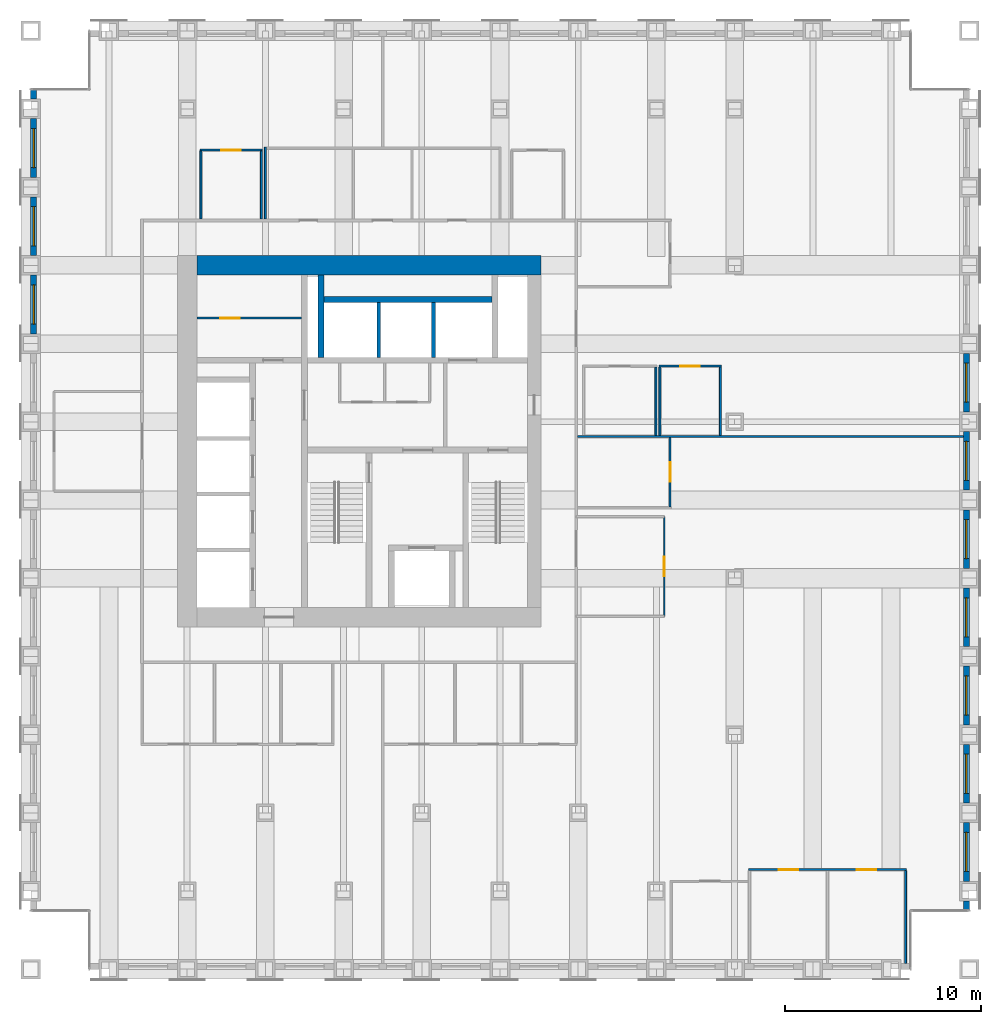
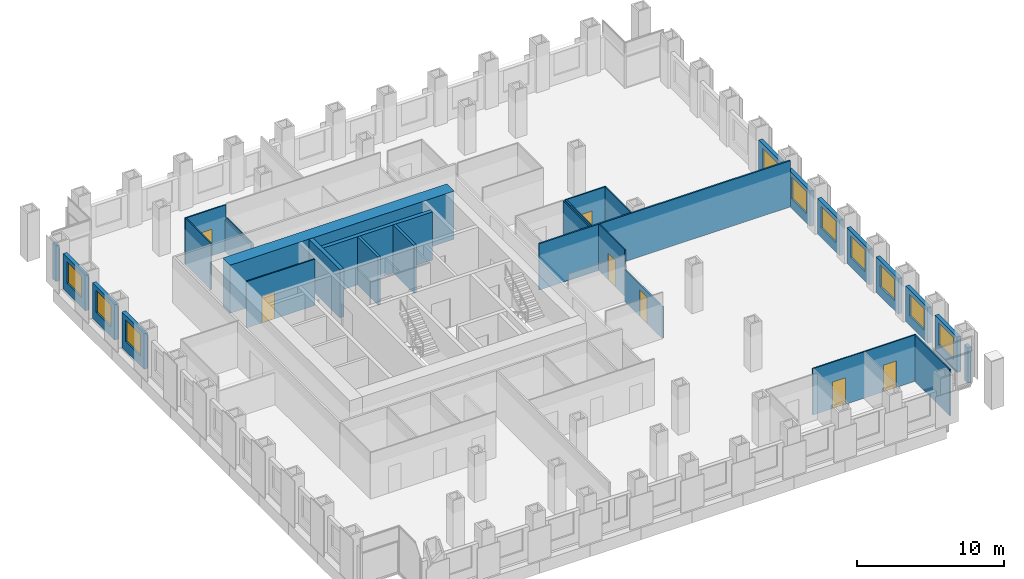
# One storey, part 13 of 17: 31 walls, 10 windows, 7 doors, 17 openings.
"""IFC4 building model written with IfcOpenShell, lengths in metres."""

from ifc_helpers import new_model, si_unit, direction, frame, frame_2d, origin, place, context, subcontext, project, spatial, rectangle, extrude, material, layer, layer_set, type_object, element, fill, save


model = new_model("IFC4")

# Units and contexts
model_context = context("Model", 3, precision=1e-05, world=origin(), true_north=direction((0.0, 1.0)))
body_context = subcontext(model_context, "Body", "Model", "MODEL_VIEW")
ifc_project = project(units=[si_unit("LENGTHUNIT", "METRE"), si_unit("AREAUNIT", "SQUARE_METRE"), si_unit("VOLUMEUNIT", "CUBIC_METRE"), si_unit("PLANEANGLEUNIT", "RADIAN"), si_unit("MASSUNIT", "GRAM", prefix="KILO")], contexts=[model_context])

# Site, building, storey
site_placement = place(None, origin())
site = spatial("IfcSite", under=ifc_project, at=site_placement, CompositionType="ELEMENT")
building_placement = place(site_placement, origin())
building = spatial("IfcBuilding", under=site, at=building_placement, Name="Rimbunsela Tower", CompositionType="ELEMENT")
storey_placement = place(building_placement, frame((0.0, 0.0, 101.39990234375)))
storey = spatial("IfcBuildingStorey", under=building, at=storey_placement, Name="L24", CompositionType="ELEMENT", Elevation=101.39990234375)

# Walls
ifc_material_1 = material(Name="Concrete fc' 80 MPa", Category="concrete")
ifc_layer_1 = layer(ifc_material_1, 0.300048828125)
ifc_layer_set_1 = layer_set([ifc_layer_1], Name="Core internal wall 300")
wall_type_1 = type_object("IfcWallType", Name="Core internal wall 300", PredefinedType="SHEAR", material=ifc_layer_set_1)
wall_1_placement = place(storey_placement, frame((24.85009765625, 31.300048828125, -0.14990234375), z_axis=(0.0, 0.0, 1.0), x_axis=(0.0, 1.0, 0.0)))
element("IfcWall", 1, at=wall_1_placement, inside=storey, type_object=wall_type_1, Name="Riser wall", PredefinedType="SHEAR", context=body_context, shape_type="SweptSolid", body=[
    extrude(rectangle(XDim=4.199951171875, YDim=0.300048828125, at=frame_2d((2.10009765625, 0.0))), origin(), (0.0, 0.0, 1.0), 4.0),
])
wall_2_placement = place(storey_placement, frame((25.0, 34.25, -0.14990234375), z_axis=(0.0, 0.0, 1.0), x_axis=(1.0, 0.0, 0.0)))
element("IfcWall", 2, at=wall_2_placement, inside=storey, type_object=wall_type_1, Name="Lift shaft rear north", PredefinedType="SHEAR", context=body_context, shape_type="SweptSolid", body=[
    extrude(rectangle(XDim=8.60009765625, YDim=0.300048828125, at=frame_2d((4.300048828125, 0.0))), origin(), (0.0, 0.0, 1.0), 4.0),
])

# Wall, opening, door
ifc_material_2 = material(Name="Concrete blockwork", Category="masonry")
ifc_layer_2 = layer(ifc_material_2, 0.10009765625)
ifc_layer_set_2 = layer_set([ifc_layer_2], Name="Core room partition 100")
wall_type_2 = type_object("IfcWallType", Name="Core room partition 100", PredefinedType="PARTITIONING", material=ifc_layer_set_2)
wall_3_placement = place(storey_placement, frame((18.5, 33.300048828125, 0.0), z_axis=(0.0, 0.0, 1.0), x_axis=(1.0, 0.0, 0.0)))
wall_3 = element("IfcWall", 3, at=wall_3_placement, inside=storey, type_object=wall_type_2, Name="Tenant store wall", PredefinedType="PARTITIONING", context=body_context, shape_type="SweptSolid", body=[
    extrude(rectangle(XDim=5.35009765625, YDim=0.10009765625, at=frame_2d((2.675048828125, 0.0))), origin(), (0.0, 0.0, 1.0), 3.85009765625),
])
opening_1_placement = place(wall_3_placement, frame((1.199951171875, 0.0, 0.0)))
opening_1 = element("IfcOpeningElement", 4, at=opening_1_placement, cuts=wall_3, Name="Opening D19", PredefinedType="OPENING", context=body_context, shape_type="SweptSolid", body=[
    extrude(rectangle(XDim=1.0, YDim=2.199951171875, at=frame_2d((0.5, 1.10009765625))), frame((0.0, 0.06005859375, 0.0), z_axis=(0.0, -1.0, 0.0), x_axis=(1.0, 0.0, 0.0)), (0.0, 0.0, 1.0), 0.1201171875),
])
ifc_material_3 = material(Name="Steel door, fire rated", Category="steel")
door_type_1 = type_object("IfcDoorType", Name="Service door 1000 fire rated", OperationType="SINGLE_SWING_LEFT", PredefinedType="DOOR", material=ifc_material_3)
door_1_placement = place(opening_1_placement, origin())
door_1 = element("IfcDoor", 5, at=door_1_placement, inside=storey, type_object=door_type_1, Name="Tenant store door", OperationType="SINGLE_SWING_LEFT", OverallHeight=2.199951171875, OverallWidth=1.0, PredefinedType="DOOR", context=body_context, shape_type="SweptSolid", body=[
    extrude(rectangle(XDim=1.0, YDim=2.199951171875, at=frame_2d((0.5, 1.10009765625))), frame((0.0, 0.02490234375, 0.0), z_axis=(0.0, -1.0, 0.0), x_axis=(1.0, 0.0, 0.0)), (0.0, 0.0, 1.0), 0.050048828125),
])
fill(opening_1, door_1)

# Walls
ifc_material_4 = material(Name="Concrete fc' 80 MPa", Category="concrete")
ifc_layer_3 = layer(ifc_material_4, 1.0)
ifc_layer_set_3 = layer_set([ifc_layer_3], Name="Core wall 1000")
wall_type_3 = type_object("IfcWallType", Name="Core wall 1000", PredefinedType="SHEAR", material=ifc_layer_set_3)
wall_4_placement = place(storey_placement, frame((18.5, 36.0, -0.14990234375), z_axis=(0.0, 0.0, 1.0), x_axis=(1.0, 0.0, 0.0)))
element("IfcWall", 6, at=wall_4_placement, inside=storey, type_object=wall_type_3, Name="Core wall north", PredefinedType="SHEAR", context=body_context, shape_type="SweptSolid", body=[
    extrude(rectangle(XDim=17.60009765625, YDim=1.0, at=frame_2d((8.800048828125, 0.0))), origin(), (0.0, 0.0, 1.0), 4.0),
])
ifc_material_5 = material(Name="Concrete blockwork", Category="masonry")
ifc_layer_4 = layer(ifc_material_5, 0.199951171875)
ifc_layer_set_4 = layer_set([ifc_layer_4], Name="Lift shaft wall 200")
wall_type_4 = type_object("IfcWallType", Name="Lift shaft wall 200", PredefinedType="SOLIDWALL", material=ifc_layer_set_4)
for number, where, z_axis, x_axis, name in (
    (7, (27.800048828125, 31.300048828125, -0.14990234375), (0.0, 0.0, 1.0), (0.0, 1.0, 0.0), "Lift shaft separation"),
    (8, (30.60009765625, 31.300048828125, -0.14990234375), (0.0, 0.0, 1.0), (0.0, 1.0, 0.0), "Lift shaft separation"),
):
    element("IfcWall", number, at=place(storey_placement, frame(where, z_axis=z_axis, x_axis=x_axis)), inside=storey, type_object=wall_type_4, Name=name, PredefinedType="SOLIDWALL", context=body_context, shape_type="SweptSolid", body=[
        extrude(rectangle(XDim=2.800048828125, YDim=0.199951171875, at=frame_2d((1.39990234375, 0.0))), origin(), (0.0, 0.0, 1.0), 4.0),
    ])

# Wall, openings, doors
ifc_material_6 = material(Name="Gypsum board on steel studs", Category="steel")
ifc_layer_5 = layer(ifc_material_6, 0.10009765625)
ifc_layer_set_5 = layer_set([ifc_layer_5], Name="Office partition 100")
wall_type_5 = type_object("IfcWallType", Name="Office partition 100", PredefinedType="PARTITIONING", material=ifc_layer_set_5)
wall_5_placement = place(storey_placement, frame((46.699951171875, 5.10009765625, 0.0), z_axis=(0.0, 0.0, 1.0), x_axis=(1.0, 0.0, 0.0)))
wall_5 = element("IfcWall", 9, at=wall_5_placement, inside=storey, type_object=wall_type_5, Name="Office partition", PredefinedType="PARTITIONING", context=body_context, shape_type="SweptSolid", body=[
    extrude(rectangle(XDim=8.10009765625, YDim=0.10009765625, at=frame_2d((4.050048828125, 0.0))), origin(), (0.0, 0.0, 1.0), 3.85009765625),
])
opening_2_placement = place(wall_5_placement, frame((1.550048828125, 0.0, 0.0)))
opening_2 = element("IfcOpeningElement", 10, at=opening_2_placement, cuts=wall_5, Name="Opening D17", PredefinedType="OPENING", context=body_context, shape_type="SweptSolid", body=[
    extrude(rectangle(XDim=1.0, YDim=2.199951171875, at=frame_2d((0.5, 1.10009765625))), frame((0.0, 0.06005859375, 0.0), z_axis=(0.0, -1.0, 0.0), x_axis=(1.0, 0.0, 0.0)), (0.0, 0.0, 1.0), 0.1201171875),
])
opening_3_placement = place(wall_5_placement, frame((5.550048828125, 0.0, 0.0)))
opening_3 = element("IfcOpeningElement", 11, at=opening_3_placement, cuts=wall_5, Name="Opening D17", PredefinedType="OPENING", context=body_context, shape_type="SweptSolid", body=[
    extrude(rectangle(XDim=1.0, YDim=2.199951171875, at=frame_2d((0.5, 1.10009765625))), frame((0.0, 0.06005859375, 0.0), z_axis=(0.0, -1.0, 0.0), x_axis=(1.0, 0.0, 0.0)), (0.0, 0.0, 1.0), 0.1201171875),
])
ifc_material_7 = material(Name="Glazed aluminium door", Category="aluminium")
door_type_2 = type_object("IfcDoorType", Name="Meeting room door 1000 glazed", OperationType="SINGLE_SWING_RIGHT", PredefinedType="DOOR", material=ifc_material_7)
door_2_placement = place(opening_2_placement, origin())
door_2 = element("IfcDoor", 12, at=door_2_placement, inside=storey, type_object=door_type_2, Name="Meeting room door", OperationType="SINGLE_SWING_RIGHT", OverallHeight=2.199951171875, OverallWidth=1.0, PredefinedType="DOOR", context=body_context, shape_type="SweptSolid", body=[
    extrude(rectangle(XDim=1.0, YDim=2.199951171875, at=frame_2d((0.5, 1.10009765625))), frame((0.0, 0.02490234375, 0.0), z_axis=(0.0, -1.0, 0.0), x_axis=(1.0, 0.0, 0.0)), (0.0, 0.0, 1.0), 0.050048828125),
])
fill(opening_2, door_2)
door_3_placement = place(opening_3_placement, origin())
door_3 = element("IfcDoor", 13, at=door_3_placement, inside=storey, type_object=door_type_2, Name="Meeting room door", OperationType="SINGLE_SWING_RIGHT", OverallHeight=2.199951171875, OverallWidth=1.0, PredefinedType="DOOR", context=body_context, shape_type="SweptSolid", body=[
    extrude(rectangle(XDim=1.0, YDim=2.199951171875, at=frame_2d((0.5, 1.10009765625))), frame((0.0, 0.02490234375, 0.0), z_axis=(0.0, -1.0, 0.0), x_axis=(1.0, 0.0, 0.0)), (0.0, 0.0, 1.0), 0.050048828125),
])
fill(opening_3, door_3)

# Wall, opening, door
wall_6_placement = place(storey_placement, frame((42.125, 30.85009765625, 0.0), z_axis=(0.0, 0.0, 1.0), x_axis=(1.0, 0.0, 0.0)))
wall_6 = element("IfcWall", 14, at=wall_6_placement, inside=storey, type_object=wall_type_5, Name="Office partition", PredefinedType="PARTITIONING", context=body_context, shape_type="SweptSolid", body=[
    extrude(rectangle(XDim=3.199951171875, YDim=0.10009765625, at=frame_2d((1.60009765625, 0.0))), origin(), (0.0, 0.0, 1.0), 3.85009765625),
])
opening_4_placement = place(wall_6_placement, frame((1.10009765625, 0.0, 0.0)))
opening_4 = element("IfcOpeningElement", 15, at=opening_4_placement, cuts=wall_6, Name="Opening D16", PredefinedType="OPENING", context=body_context, shape_type="SweptSolid", body=[
    extrude(rectangle(XDim=1.0, YDim=2.199951171875, at=frame_2d((0.5, 1.10009765625))), frame((0.0, 0.06005859375, 0.0), z_axis=(0.0, -1.0, 0.0), x_axis=(1.0, 0.0, 0.0)), (0.0, 0.0, 1.0), 0.1201171875),
])
ifc_material_8 = material(Name="Timber door", Category="wood")
door_type_3 = type_object("IfcDoorType", Name="Office door 1000", OperationType="SINGLE_SWING_LEFT", PredefinedType="DOOR", material=ifc_material_8)
door_4_placement = place(opening_4_placement, origin())
door_4 = element("IfcDoor", 16, at=door_4_placement, inside=storey, type_object=door_type_3, Name="Office door", OperationType="SINGLE_SWING_LEFT", OverallHeight=2.199951171875, OverallWidth=1.0, PredefinedType="DOOR", context=body_context, shape_type="SweptSolid", body=[
    extrude(rectangle(XDim=1.0, YDim=2.199951171875, at=frame_2d((0.5, 1.10009765625))), frame((0.0, 0.02490234375, 0.0), z_axis=(0.0, -1.0, 0.0), x_axis=(1.0, 0.0, 0.0)), (0.0, 0.0, 1.0), 0.050048828125),
])
fill(opening_4, door_4)

wall_7_placement = place(storey_placement, frame((18.64990234375, 41.89990234375, 0.0), z_axis=(0.0, 0.0, 1.0), x_axis=(1.0, 0.0, 0.0)))
wall_7 = element("IfcWall", 17, at=wall_7_placement, inside=storey, type_object=wall_type_5, Name="Office partition", PredefinedType="PARTITIONING", context=body_context, shape_type="SweptSolid", body=[
    extrude(rectangle(XDim=3.2001953125, YDim=0.10009765625, at=frame_2d((1.60009765625, 0.0))), origin(), (0.0, 0.0, 1.0), 3.85009765625),
])
opening_5_placement = place(wall_7_placement, frame((1.10009765625, 0.0, 0.0)))
opening_5 = element("IfcOpeningElement", 18, at=opening_5_placement, cuts=wall_7, Name="Opening D16", PredefinedType="OPENING", context=body_context, shape_type="SweptSolid", body=[
    extrude(rectangle(XDim=1.0, YDim=2.199951171875, at=frame_2d((0.5, 1.10009765625))), frame((0.0, 0.06005859375, 0.0), z_axis=(0.0, -1.0, 0.0), x_axis=(1.0, 0.0, 0.0)), (0.0, 0.0, 1.0), 0.1201171875),
])
door_5_placement = place(opening_5_placement, origin())
door_5 = element("IfcDoor", 19, at=door_5_placement, inside=storey, type_object=door_type_3, Name="Office door", OperationType="SINGLE_SWING_LEFT", OverallHeight=2.199951171875, OverallWidth=1.0, PredefinedType="DOOR", context=body_context, shape_type="SweptSolid", body=[
    extrude(rectangle(XDim=1.0, YDim=2.199951171875, at=frame_2d((0.5, 1.10009765625))), frame((0.0, 0.02490234375, 0.0), z_axis=(0.0, -1.0, 0.0), x_axis=(1.0, 0.0, 0.0)), (0.0, 0.0, 1.0), 0.050048828125),
])
fill(opening_5, door_5)

# Walls
wall_8_placement = place(storey_placement, frame((18.699951171875, 38.375, 0.0), z_axis=(0.0, 0.0, 1.0), x_axis=(0.0, 1.0, 0.0)))
element("IfcWall", 20, at=wall_8_placement, inside=storey, type_object=wall_type_5, Name="Office partition", PredefinedType="PARTITIONING", context=body_context, shape_type="SweptSolid", body=[
    extrude(rectangle(XDim=3.47509765625, YDim=0.10009765625, at=frame_2d((1.737548828125, 0.0))), origin(), (0.0, 0.0, 1.0), 3.85009765625),
])
wall_9_placement = place(storey_placement, frame((21.800048828125, 38.375, 0.0), z_axis=(0.0, 0.0, 1.0), x_axis=(0.0, 1.0, 0.0)))
element("IfcWall", 21, at=wall_9_placement, inside=storey, type_object=wall_type_5, Name="Office partition", PredefinedType="PARTITIONING", context=body_context, shape_type="SweptSolid", body=[
    extrude(rectangle(XDim=3.47509765625, YDim=0.10009765625, at=frame_2d((1.737548828125, 0.0))), origin(), (0.0, 0.0, 1.0), 2.650146484375),
])
for number, where, z_axis, x_axis, name in (
    (22, (41.97509765625, 27.31005859375, 0.0), (0.0, 0.0, 1.0), (0.0, 1.0, 0.0), "Office partition"),
    (23, (42.175048828125, 27.31005859375, 0.0), (0.0, 0.0, 1.0), (0.0, 1.0, 0.0), "Office partition"),
):
    element("IfcWall", number, at=place(storey_placement, frame(where, z_axis=z_axis, x_axis=x_axis)), inside=storey, type_object=wall_type_5, Name=name, PredefinedType="PARTITIONING", context=body_context, shape_type="SweptSolid", body=[
        extrude(rectangle(XDim=3.489990234375, YDim=0.10009765625, at=frame_2d((1.7451171875, 0.0))), origin(), (0.0, 0.0, 1.0), 3.85009765625),
    ])

# Wall, opening, door
wall_10_placement = place(storey_placement, frame((42.699951171875, 23.64892578125, 0.0), z_axis=(0.0, 0.0, 1.0), x_axis=(0.0, 1.0, 0.0)))
wall_10 = element("IfcWall", 24, at=wall_10_placement, inside=storey, type_object=wall_type_5, Name="Office partition", PredefinedType="PARTITIONING", context=body_context, shape_type="SweptSolid", body=[
    extrude(rectangle(XDim=3.5400390625, YDim=0.10009765625, at=frame_2d((1.77001953125, 0.0))), origin(), (0.0, 0.0, 1.0), 3.85009765625),
])
opening_6_placement = place(wall_10_placement, frame((1.27490234375, 0.0, 0.0)))
opening_6 = element("IfcOpeningElement", 25, at=opening_6_placement, cuts=wall_10, Name="Opening D16", PredefinedType="OPENING", context=body_context, shape_type="SweptSolid", body=[
    extrude(rectangle(XDim=1.0, YDim=2.199951171875, at=frame_2d((0.5, 1.10009765625))), frame((0.0, 0.06005859375, 0.0), z_axis=(0.0, -1.0, 0.0), x_axis=(1.0, 0.0, 0.0)), (0.0, 0.0, 1.0), 0.1201171875),
])
door_6_placement = place(opening_6_placement, origin())
door_6 = element("IfcDoor", 26, at=door_6_placement, inside=storey, type_object=door_type_3, Name="Office door", OperationType="SINGLE_SWING_LEFT", OverallHeight=2.199951171875, OverallWidth=1.0, PredefinedType="DOOR", context=body_context, shape_type="SweptSolid", body=[
    extrude(rectangle(XDim=1.0, YDim=2.199951171875, at=frame_2d((0.5, 1.10009765625))), frame((0.0, 0.02490234375, 0.0), z_axis=(0.0, -1.0, 0.0), x_axis=(1.0, 0.0, 0.0)), (0.0, 0.0, 1.0), 0.050048828125),
])
fill(opening_6, door_6)

# Walls
wall_11_placement = place(storey_placement, frame((45.27490234375, 27.31005859375, 0.0), z_axis=(0.0, 0.0, 1.0), x_axis=(0.0, 1.0, 0.0)))
element("IfcWall", 27, at=wall_11_placement, inside=storey, type_object=wall_type_5, Name="Office partition", PredefinedType="PARTITIONING", context=body_context, shape_type="SweptSolid", body=[
    extrude(rectangle(XDim=3.489990234375, YDim=0.10009765625, at=frame_2d((1.7451171875, 0.0))), origin(), (0.0, 0.0, 1.0), 3.85009765625),
])
wall_12_placement = place(storey_placement, frame((54.75, 0.300048828125, 0.0), z_axis=(0.0, 0.0, 1.0), x_axis=(0.0, 1.0, 0.0)))
element("IfcWall", 28, at=wall_12_placement, inside=storey, type_object=wall_type_5, Name="Office partition", PredefinedType="PARTITIONING", context=body_context, shape_type="SweptSolid", body=[
    extrude(rectangle(XDim=4.75, YDim=0.10009765625, at=frame_2d((2.375, 0.0))), origin(), (0.0, 0.0, 1.0), 3.85009765625),
])

# Wall, opening, door
wall_13_placement = place(storey_placement, frame((42.39990234375, 18.049072265625, 0.0), z_axis=(0.0, 0.0, 1.0), x_axis=(0.0, 1.0, 0.0)))
wall_13 = element("IfcWall", 29, at=wall_13_placement, inside=storey, type_object=wall_type_5, Name="Office partition", PredefinedType="PARTITIONING", context=body_context, shape_type="SweptSolid", body=[
    extrude(rectangle(XDim=5.099853515625, YDim=0.10009765625, at=frame_2d((2.5498046875, 0.0))), origin(), (0.0, 0.0, 1.0), 2.650146484375),
])
opening_7_placement = place(wall_13_placement, frame((2.050048828125, 0.0, 0.0)))
opening_7 = element("IfcOpeningElement", 30, at=opening_7_placement, cuts=wall_13, Name="Opening D17", PredefinedType="OPENING", context=body_context, shape_type="SweptSolid", body=[
    extrude(rectangle(XDim=1.0, YDim=2.199951171875, at=frame_2d((0.5, 1.10009765625))), frame((0.0, 0.06005859375, 0.0), z_axis=(0.0, -1.0, 0.0), x_axis=(1.0, 0.0, 0.0)), (0.0, 0.0, 1.0), 0.1201171875),
])
door_7_placement = place(opening_7_placement, origin())
door_7 = element("IfcDoor", 31, at=door_7_placement, inside=storey, type_object=door_type_2, Name="Reception door", OperationType="SINGLE_SWING_RIGHT", OverallHeight=2.199951171875, OverallWidth=1.0, PredefinedType="DOOR", context=body_context, shape_type="SweptSolid", body=[
    extrude(rectangle(XDim=1.0, YDim=2.199951171875, at=frame_2d((0.5, 1.10009765625))), frame((0.0, 0.02490234375, 0.0), z_axis=(0.0, -1.0, 0.0), x_axis=(1.0, 0.0, 0.0)), (0.0, 0.0, 1.0), 0.050048828125),
])
fill(opening_7, door_7)

# Wall
ifc_material_9 = material(Name="Precast concrete fc' 35 MPa", Category="concrete")
ifc_layer_6 = layer(ifc_material_9, 0.300048828125)
ifc_layer_set_6 = layer_set([ifc_layer_6], Name="Precast concrete fc' 35 MPa")
wall_type_6 = type_object("IfcWallType", Name="Precast facade panel 300", PredefinedType="ELEMENTEDWALL", material=ifc_layer_set_6)
wall_14_placement = place(storey_placement, frame((57.85009765625, 3.030029296875, 0.0), z_axis=(0.0, 0.0, 1.0), x_axis=(0.0, 1.0, 0.0)))
element("IfcWall", 32, at=wall_14_placement, inside=storey, type_object=wall_type_6, Name="Facade panel E L24", PredefinedType="ELEMENTEDWALL", context=body_context, shape_type="SweptSolid", body=[
    extrude(rectangle(XDim=0.469970703125, YDim=0.300048828125, at=frame_2d((0.23486328125, 0.0))), origin(), (0.0, 0.0, 1.0), 2.9501953125),
])

# Wall, opening, window
wall_15_placement = place(storey_placement, frame((57.85009765625, 4.5, 0.0), z_axis=(0.0, 0.0, 1.0), x_axis=(0.0, 1.0, 0.0)))
wall_15 = element("IfcWall", 33, at=wall_15_placement, inside=storey, type_object=wall_type_6, Name="Facade panel E L24", PredefinedType="ELEMENTEDWALL", context=body_context, shape_type="SweptSolid", body=[
    extrude(rectangle(XDim=3.0, YDim=0.300048828125, at=frame_2d((1.5, 0.0))), origin(), (0.0, 0.0, 1.0), 2.9501953125),
])
opening_8_placement = place(wall_15_placement, frame((0.5, 0.0, 0.800048828125)))
opening_8 = element("IfcOpeningElement", 34, at=opening_8_placement, cuts=wall_15, Name="Opening W7", PredefinedType="OPENING", context=body_context, shape_type="SweptSolid", body=[
    extrude(rectangle(XDim=2.0, YDim=1.800048828125, at=frame_2d((1.0, 0.89990234375))), frame((0.0, 0.159912109375, 0.0), z_axis=(0.0, -1.0, 0.0), x_axis=(1.0, 0.0, 0.0)), (0.0, 0.0, 1.0), 0.320068359375),
])
ifc_material_10 = material(Name="Clear glass in aluminium frame", Category="aluminium")
window_type = type_object("IfcWindowType", Name="Window W7 2000x1800", PartitioningType="DOUBLE_PANEL_VERTICAL", PredefinedType="WINDOW", material=ifc_material_10)
window_1_placement = place(opening_8_placement, origin())
window_1 = element("IfcWindow", 35, at=window_1_placement, inside=storey, type_object=window_type, Name="Window L24", OverallHeight=1.800048828125, OverallWidth=2.0, PartitioningType="SINGLE_PANEL", PredefinedType="WINDOW", context=body_context, shape_type="SweptSolid", body=[
    extrude(rectangle(XDim=2.0, YDim=1.800048828125, at=frame_2d((1.0, 0.89990234375))), frame((0.0, 0.030029296875, 0.0), z_axis=(0.0, -1.0, 0.0), x_axis=(1.0, 0.0, 0.0)), (0.0, 0.0, 1.0), 0.06005859375),
])
fill(opening_8, window_1)

wall_16_placement = place(storey_placement, frame((57.85009765625, 8.5, 0.0), z_axis=(0.0, 0.0, 1.0), x_axis=(0.0, 1.0, 0.0)))
wall_16 = element("IfcWall", 36, at=wall_16_placement, inside=storey, type_object=wall_type_6, Name="Facade panel E L24", PredefinedType="ELEMENTEDWALL", context=body_context, shape_type="SweptSolid", body=[
    extrude(rectangle(XDim=3.0, YDim=0.300048828125, at=frame_2d((1.5, 0.0))), origin(), (0.0, 0.0, 1.0), 2.9501953125),
])
opening_9_placement = place(wall_16_placement, frame((0.5, 0.0, 0.800048828125)))
opening_9 = element("IfcOpeningElement", 37, at=opening_9_placement, cuts=wall_16, Name="Opening W7", PredefinedType="OPENING", context=body_context, shape_type="SweptSolid", body=[
    extrude(rectangle(XDim=2.0, YDim=1.800048828125, at=frame_2d((1.0, 0.89990234375))), frame((0.0, 0.159912109375, 0.0), z_axis=(0.0, -1.0, 0.0), x_axis=(1.0, 0.0, 0.0)), (0.0, 0.0, 1.0), 0.320068359375),
])
window_2_placement = place(opening_9_placement, origin())
window_2 = element("IfcWindow", 38, at=window_2_placement, inside=storey, type_object=window_type, Name="Window L24", OverallHeight=1.800048828125, OverallWidth=2.0, PartitioningType="SINGLE_PANEL", PredefinedType="WINDOW", context=body_context, shape_type="SweptSolid", body=[
    extrude(rectangle(XDim=2.0, YDim=1.800048828125, at=frame_2d((1.0, 0.89990234375))), frame((0.0, 0.030029296875, 0.0), z_axis=(0.0, -1.0, 0.0), x_axis=(1.0, 0.0, 0.0)), (0.0, 0.0, 1.0), 0.06005859375),
])
fill(opening_9, window_2)

wall_17_placement = place(storey_placement, frame((57.85009765625, 12.5, 0.0), z_axis=(0.0, 0.0, 1.0), x_axis=(0.0, 1.0, 0.0)))
wall_17 = element("IfcWall", 39, at=wall_17_placement, inside=storey, type_object=wall_type_6, Name="Facade panel E L24", PredefinedType="ELEMENTEDWALL", context=body_context, shape_type="SweptSolid", body=[
    extrude(rectangle(XDim=3.0, YDim=0.300048828125, at=frame_2d((1.5, 0.0))), origin(), (0.0, 0.0, 1.0), 2.9501953125),
])
opening_10_placement = place(wall_17_placement, frame((0.5, 0.0, 0.800048828125)))
opening_10 = element("IfcOpeningElement", 40, at=opening_10_placement, cuts=wall_17, Name="Opening W7", PredefinedType="OPENING", context=body_context, shape_type="SweptSolid", body=[
    extrude(rectangle(XDim=2.0, YDim=1.800048828125, at=frame_2d((1.0, 0.89990234375))), frame((0.0, 0.159912109375, 0.0), z_axis=(0.0, -1.0, 0.0), x_axis=(1.0, 0.0, 0.0)), (0.0, 0.0, 1.0), 0.320068359375),
])
window_3_placement = place(opening_10_placement, origin())
window_3 = element("IfcWindow", 41, at=window_3_placement, inside=storey, type_object=window_type, Name="Window L24", OverallHeight=1.800048828125, OverallWidth=2.0, PartitioningType="SINGLE_PANEL", PredefinedType="WINDOW", context=body_context, shape_type="SweptSolid", body=[
    extrude(rectangle(XDim=2.0, YDim=1.800048828125, at=frame_2d((1.0, 0.89990234375))), frame((0.0, 0.030029296875, 0.0), z_axis=(0.0, -1.0, 0.0), x_axis=(1.0, 0.0, 0.0)), (0.0, 0.0, 1.0), 0.06005859375),
])
fill(opening_10, window_3)

wall_18_placement = place(storey_placement, frame((57.85009765625, 16.5, 0.0), z_axis=(0.0, 0.0, 1.0), x_axis=(0.0, 1.0, 0.0)))
wall_18 = element("IfcWall", 42, at=wall_18_placement, inside=storey, type_object=wall_type_6, Name="Facade panel E L24", PredefinedType="ELEMENTEDWALL", context=body_context, shape_type="SweptSolid", body=[
    extrude(rectangle(XDim=3.0, YDim=0.300048828125, at=frame_2d((1.5, 0.0))), origin(), (0.0, 0.0, 1.0), 2.9501953125),
])
opening_11_placement = place(wall_18_placement, frame((0.5, 0.0, 0.800048828125)))
opening_11 = element("IfcOpeningElement", 43, at=opening_11_placement, cuts=wall_18, Name="Opening W7", PredefinedType="OPENING", context=body_context, shape_type="SweptSolid", body=[
    extrude(rectangle(XDim=2.0, YDim=1.800048828125, at=frame_2d((1.0, 0.89990234375))), frame((0.0, 0.159912109375, 0.0), z_axis=(0.0, -1.0, 0.0), x_axis=(1.0, 0.0, 0.0)), (0.0, 0.0, 1.0), 0.320068359375),
])
window_4_placement = place(opening_11_placement, origin())
window_4 = element("IfcWindow", 44, at=window_4_placement, inside=storey, type_object=window_type, Name="Window L24", OverallHeight=1.800048828125, OverallWidth=2.0, PartitioningType="SINGLE_PANEL", PredefinedType="WINDOW", context=body_context, shape_type="SweptSolid", body=[
    extrude(rectangle(XDim=2.0, YDim=1.800048828125, at=frame_2d((1.0, 0.89990234375))), frame((0.0, 0.030029296875, 0.0), z_axis=(0.0, -1.0, 0.0), x_axis=(1.0, 0.0, 0.0)), (0.0, 0.0, 1.0), 0.06005859375),
])
fill(opening_11, window_4)

wall_19_placement = place(storey_placement, frame((57.85009765625, 20.5, 0.0), z_axis=(0.0, 0.0, 1.0), x_axis=(0.0, 1.0, 0.0)))
wall_19 = element("IfcWall", 45, at=wall_19_placement, inside=storey, type_object=wall_type_6, Name="Facade panel E L24", PredefinedType="ELEMENTEDWALL", context=body_context, shape_type="SweptSolid", body=[
    extrude(rectangle(XDim=3.0, YDim=0.300048828125, at=frame_2d((1.5, 0.0))), origin(), (0.0, 0.0, 1.0), 2.9501953125),
])
opening_12_placement = place(wall_19_placement, frame((0.5, 0.0, 0.800048828125)))
opening_12 = element("IfcOpeningElement", 46, at=opening_12_placement, cuts=wall_19, Name="Opening W7", PredefinedType="OPENING", context=body_context, shape_type="SweptSolid", body=[
    extrude(rectangle(XDim=2.0, YDim=1.800048828125, at=frame_2d((1.0, 0.89990234375))), frame((0.0, 0.159912109375, 0.0), z_axis=(0.0, -1.0, 0.0), x_axis=(1.0, 0.0, 0.0)), (0.0, 0.0, 1.0), 0.320068359375),
])
window_5_placement = place(opening_12_placement, origin())
window_5 = element("IfcWindow", 47, at=window_5_placement, inside=storey, type_object=window_type, Name="Window L24", OverallHeight=1.800048828125, OverallWidth=2.0, PartitioningType="SINGLE_PANEL", PredefinedType="WINDOW", context=body_context, shape_type="SweptSolid", body=[
    extrude(rectangle(XDim=2.0, YDim=1.800048828125, at=frame_2d((1.0, 0.89990234375))), frame((0.0, 0.030029296875, 0.0), z_axis=(0.0, -1.0, 0.0), x_axis=(1.0, 0.0, 0.0)), (0.0, 0.0, 1.0), 0.06005859375),
])
fill(opening_12, window_5)

wall_20_placement = place(storey_placement, frame((57.85009765625, 24.5, 0.0), z_axis=(0.0, 0.0, 1.0), x_axis=(0.0, 1.0, 0.0)))
wall_20 = element("IfcWall", 48, at=wall_20_placement, inside=storey, type_object=wall_type_6, Name="Facade panel E L24", PredefinedType="ELEMENTEDWALL", context=body_context, shape_type="SweptSolid", body=[
    extrude(rectangle(XDim=3.0, YDim=0.300048828125, at=frame_2d((1.5, 0.0))), origin(), (0.0, 0.0, 1.0), 2.9501953125),
])
opening_13_placement = place(wall_20_placement, frame((0.5, 0.0, 0.800048828125)))
opening_13 = element("IfcOpeningElement", 49, at=opening_13_placement, cuts=wall_20, Name="Opening W7", PredefinedType="OPENING", context=body_context, shape_type="SweptSolid", body=[
    extrude(rectangle(XDim=2.0, YDim=1.800048828125, at=frame_2d((1.0, 0.89990234375))), frame((0.0, 0.159912109375, 0.0), z_axis=(0.0, -1.0, 0.0), x_axis=(1.0, 0.0, 0.0)), (0.0, 0.0, 1.0), 0.320068359375),
])
window_6_placement = place(opening_13_placement, origin())
window_6 = element("IfcWindow", 50, at=window_6_placement, inside=storey, type_object=window_type, Name="Window L24", OverallHeight=1.800048828125, OverallWidth=2.0, PartitioningType="SINGLE_PANEL", PredefinedType="WINDOW", context=body_context, shape_type="SweptSolid", body=[
    extrude(rectangle(XDim=2.0, YDim=1.800048828125, at=frame_2d((1.0, 0.89990234375))), frame((0.0, 0.030029296875, 0.0), z_axis=(0.0, -1.0, 0.0), x_axis=(1.0, 0.0, 0.0)), (0.0, 0.0, 1.0), 0.06005859375),
])
fill(opening_13, window_6)

wall_21_placement = place(storey_placement, frame((57.85009765625, 28.5, 0.0), z_axis=(0.0, 0.0, 1.0), x_axis=(0.0, 1.0, 0.0)))
wall_21 = element("IfcWall", 51, at=wall_21_placement, inside=storey, type_object=wall_type_6, Name="Facade panel E L24", PredefinedType="ELEMENTEDWALL", context=body_context, shape_type="SweptSolid", body=[
    extrude(rectangle(XDim=3.0, YDim=0.300048828125, at=frame_2d((1.5, 0.0))), origin(), (0.0, 0.0, 1.0), 2.9501953125),
])
opening_14_placement = place(wall_21_placement, frame((0.5, 0.0, 0.800048828125)))
opening_14 = element("IfcOpeningElement", 52, at=opening_14_placement, cuts=wall_21, Name="Opening W7", PredefinedType="OPENING", context=body_context, shape_type="SweptSolid", body=[
    extrude(rectangle(XDim=2.0, YDim=1.800048828125, at=frame_2d((1.0, 0.89990234375))), frame((0.0, 0.159912109375, 0.0), z_axis=(0.0, -1.0, 0.0), x_axis=(1.0, 0.0, 0.0)), (0.0, 0.0, 1.0), 0.320068359375),
])
window_7_placement = place(opening_14_placement, origin())
window_7 = element("IfcWindow", 53, at=window_7_placement, inside=storey, type_object=window_type, Name="Window L24", OverallHeight=1.800048828125, OverallWidth=2.0, PartitioningType="SINGLE_PANEL", PredefinedType="WINDOW", context=body_context, shape_type="SweptSolid", body=[
    extrude(rectangle(XDim=2.0, YDim=1.800048828125, at=frame_2d((1.0, 0.89990234375))), frame((0.0, 0.030029296875, 0.0), z_axis=(0.0, -1.0, 0.0), x_axis=(1.0, 0.0, 0.0)), (0.0, 0.0, 1.0), 0.06005859375),
])
fill(opening_14, window_7)

wall_22_placement = place(storey_placement, frame((10.14990234375, 35.5, 0.0), z_axis=(0.0, 0.0, 1.0), x_axis=(0.0, -1.0, 0.0)))
wall_22 = element("IfcWall", 54, at=wall_22_placement, inside=storey, type_object=wall_type_6, Name="Facade panel W L24", PredefinedType="ELEMENTEDWALL", context=body_context, shape_type="SweptSolid", body=[
    extrude(rectangle(XDim=3.0, YDim=0.300048828125, at=frame_2d((1.5, 0.0))), origin(), (0.0, 0.0, 1.0), 2.9501953125),
])
opening_15_placement = place(wall_22_placement, frame((0.5, 0.0, 0.800048828125)))
opening_15 = element("IfcOpeningElement", 55, at=opening_15_placement, cuts=wall_22, Name="Opening W7", PredefinedType="OPENING", context=body_context, shape_type="SweptSolid", body=[
    extrude(rectangle(XDim=2.0, YDim=1.800048828125, at=frame_2d((1.0, 0.89990234375))), frame((0.0, 0.159912109375, 0.0), z_axis=(0.0, -1.0, 0.0), x_axis=(1.0, 0.0, 0.0)), (0.0, 0.0, 1.0), 0.320068359375),
])
window_8_placement = place(opening_15_placement, origin())
window_8 = element("IfcWindow", 56, at=window_8_placement, inside=storey, type_object=window_type, Name="Window L24", OverallHeight=1.800048828125, OverallWidth=2.0, PartitioningType="SINGLE_PANEL", PredefinedType="WINDOW", context=body_context, shape_type="SweptSolid", body=[
    extrude(rectangle(XDim=2.0, YDim=1.800048828125, at=frame_2d((1.0, 0.89990234375))), frame((0.0, 0.030029296875, 0.0), z_axis=(0.0, -1.0, 0.0), x_axis=(1.0, 0.0, 0.0)), (0.0, 0.0, 1.0), 0.06005859375),
])
fill(opening_15, window_8)

wall_23_placement = place(storey_placement, frame((10.14990234375, 39.5, 0.0), z_axis=(0.0, 0.0, 1.0), x_axis=(0.0, -1.0, 0.0)))
wall_23 = element("IfcWall", 57, at=wall_23_placement, inside=storey, type_object=wall_type_6, Name="Facade panel W L24", PredefinedType="ELEMENTEDWALL", context=body_context, shape_type="SweptSolid", body=[
    extrude(rectangle(XDim=3.0, YDim=0.300048828125, at=frame_2d((1.5, 0.0))), origin(), (0.0, 0.0, 1.0), 2.9501953125),
])
opening_16_placement = place(wall_23_placement, frame((0.5, 0.0, 0.800048828125)))
opening_16 = element("IfcOpeningElement", 58, at=opening_16_placement, cuts=wall_23, Name="Opening W7", PredefinedType="OPENING", context=body_context, shape_type="SweptSolid", body=[
    extrude(rectangle(XDim=2.0, YDim=1.800048828125, at=frame_2d((1.0, 0.89990234375))), frame((0.0, 0.159912109375, 0.0), z_axis=(0.0, -1.0, 0.0), x_axis=(1.0, 0.0, 0.0)), (0.0, 0.0, 1.0), 0.320068359375),
])
window_9_placement = place(opening_16_placement, origin())
window_9 = element("IfcWindow", 59, at=window_9_placement, inside=storey, type_object=window_type, Name="Window L24", OverallHeight=1.800048828125, OverallWidth=2.0, PartitioningType="SINGLE_PANEL", PredefinedType="WINDOW", context=body_context, shape_type="SweptSolid", body=[
    extrude(rectangle(XDim=2.0, YDim=1.800048828125, at=frame_2d((1.0, 0.89990234375))), frame((0.0, 0.030029296875, 0.0), z_axis=(0.0, -1.0, 0.0), x_axis=(1.0, 0.0, 0.0)), (0.0, 0.0, 1.0), 0.06005859375),
])
fill(opening_16, window_9)

wall_24_placement = place(storey_placement, frame((10.14990234375, 43.5, 0.0), z_axis=(0.0, 0.0, 1.0), x_axis=(0.0, -1.0, 0.0)))
wall_24 = element("IfcWall", 60, at=wall_24_placement, inside=storey, type_object=wall_type_6, Name="Facade panel W L24", PredefinedType="ELEMENTEDWALL", context=body_context, shape_type="SweptSolid", body=[
    extrude(rectangle(XDim=3.0, YDim=0.300048828125, at=frame_2d((1.5, 0.0))), origin(), (0.0, 0.0, 1.0), 2.9501953125),
])
opening_17_placement = place(wall_24_placement, frame((0.5, 0.0, 0.800048828125)))
opening_17 = element("IfcOpeningElement", 61, at=opening_17_placement, cuts=wall_24, Name="Opening W7", PredefinedType="OPENING", context=body_context, shape_type="SweptSolid", body=[
    extrude(rectangle(XDim=2.0, YDim=1.800048828125, at=frame_2d((1.0, 0.89990234375))), frame((0.0, 0.159912109375, 0.0), z_axis=(0.0, -1.0, 0.0), x_axis=(1.0, 0.0, 0.0)), (0.0, 0.0, 1.0), 0.320068359375),
])
window_10_placement = place(opening_17_placement, origin())
window_10 = element("IfcWindow", 62, at=window_10_placement, inside=storey, type_object=window_type, Name="Window L24", OverallHeight=1.800048828125, OverallWidth=2.0, PartitioningType="SINGLE_PANEL", PredefinedType="WINDOW", context=body_context, shape_type="SweptSolid", body=[
    extrude(rectangle(XDim=2.0, YDim=1.800048828125, at=frame_2d((1.0, 0.89990234375))), frame((0.0, 0.030029296875, 0.0), z_axis=(0.0, -1.0, 0.0), x_axis=(1.0, 0.0, 0.0)), (0.0, 0.0, 1.0), 0.06005859375),
])
fill(opening_17, window_10)

# Walls
wall_25_placement = place(storey_placement, frame((10.14990234375, 44.969970703125, 0.0), z_axis=(0.0, 0.0, 1.0), x_axis=(0.0, -1.0, 0.0)))
element("IfcWall", 63, at=wall_25_placement, inside=storey, type_object=wall_type_6, Name="Facade panel W L24", PredefinedType="ELEMENTEDWALL", context=body_context, shape_type="SweptSolid", body=[
    extrude(rectangle(XDim=0.469970703125, YDim=0.300048828125, at=frame_2d((0.23486328125, 0.0))), origin(), (0.0, 0.0, 1.0), 2.9501953125),
])
ifc_material_11 = material(Name="Gypsum board on steel studs", Category="steel")
ifc_layer_7 = layer(ifc_material_11, 0.1201171875)
ifc_layer_set_7 = layer_set([ifc_layer_7], Name="Tenancy partition 120")
wall_type_7 = type_object("IfcWallType", Name="Tenancy partition 120", PredefinedType="PARTITIONING", material=ifc_layer_set_7)
wall_26_placement = place(storey_placement, frame((37.97509765625, 27.25, 0.0), z_axis=(0.0, 0.0, 1.0), x_axis=(1.0, 0.0, 0.0)))
element("IfcWall", 64, at=wall_26_placement, inside=storey, type_object=wall_type_7, Name="Tenancy partition", PredefinedType="PARTITIONING", context=body_context, shape_type="SweptSolid", body=[
    extrude(rectangle(XDim=19.724853515625, YDim=0.1201171875, at=frame_2d((9.8623046875, 0.0))), origin(), (0.0, 0.0, 1.0), 3.85009765625),
])
ifc_material_12 = material(Name="Concrete blockwork", Category="masonry")
ifc_layer_8 = layer(ifc_material_12, 0.10009765625)
ifc_layer_set_8 = layer_set([ifc_layer_8], Name="Toilet partition 100")
wall_type_8 = type_object("IfcWallType", Name="Toilet partition 100", PredefinedType="PARTITIONING", material=ifc_layer_set_8)
wall_27_placement = place(storey_placement, frame((22.0, 38.375, 0.0), z_axis=(0.0, 0.0, 1.0), x_axis=(0.0, 1.0, 0.0)))
element("IfcWall", 65, at=wall_27_placement, inside=storey, type_object=wall_type_8, Name="Toilet block wall west", PredefinedType="PARTITIONING", context=body_context, shape_type="SweptSolid", body=[
    extrude(rectangle(XDim=3.675048828125, YDim=0.10009765625, at=frame_2d((1.83740234375, 0.0))), origin(), (0.0, 0.0, 1.0), 2.650146484375),
])

save(model, "model.ifc")
